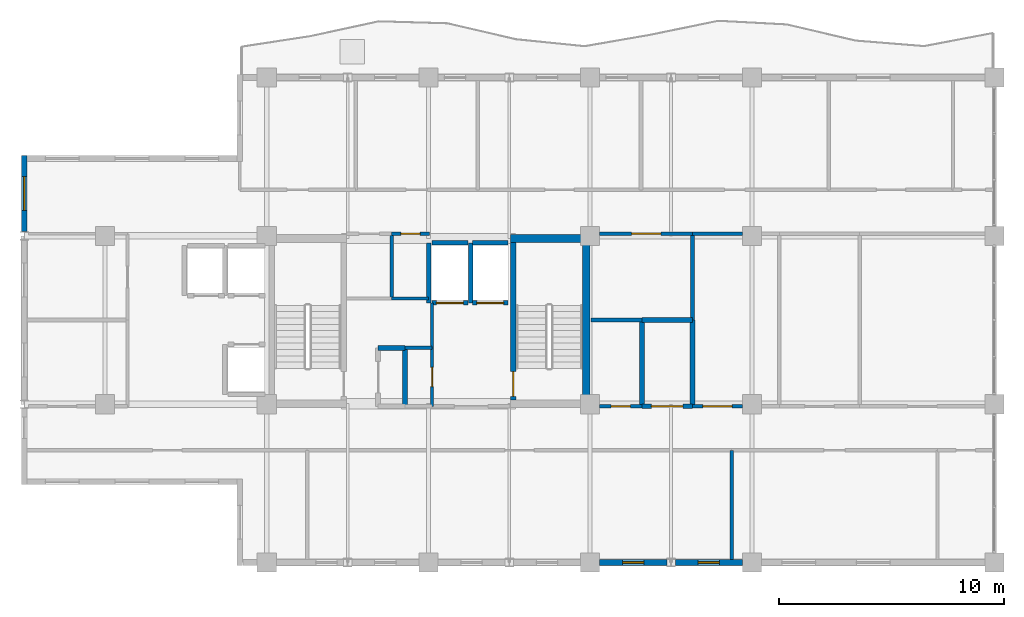
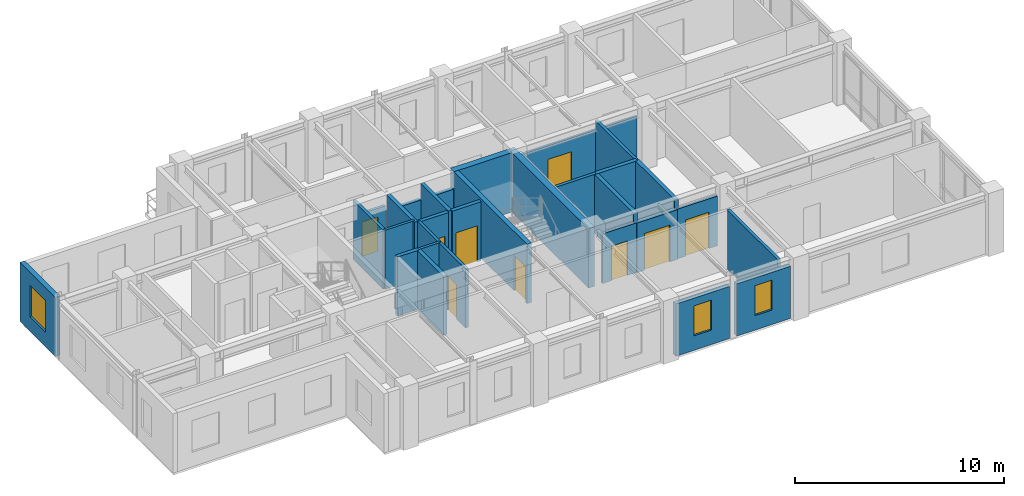
# One storey, part 7 of 10: 31 walls, 9 doors, 3 windows, 12 openings.
"""IFC4 building model written with IfcOpenShell, lengths in metres."""

from ifc_helpers import new_model, si_unit, direction, frame, frame_2d, origin, place, context, subcontext, project, spatial, rectangle, extrude, material, layer, layer_set, type_object, element, fill, save


model = new_model("IFC4")

# Units and contexts
model_context = context("Model", 3, precision=1e-05, world=origin(), true_north=direction((0.0, 1.0)))
body_context = subcontext(model_context, "Body", "Model", "MODEL_VIEW")
ifc_project = project(units=[si_unit("LENGTHUNIT", "METRE"), si_unit("AREAUNIT", "SQUARE_METRE"), si_unit("VOLUMEUNIT", "CUBIC_METRE"), si_unit("PLANEANGLEUNIT", "RADIAN"), si_unit("MASSUNIT", "GRAM", prefix="KILO")], contexts=[model_context])

# Site, building, storey
site_placement = place(None, origin())
site = spatial("IfcSite", under=ifc_project, at=site_placement, CompositionType="ELEMENT")
building_placement = place(site_placement, origin())
building = spatial("IfcBuilding", under=site, at=building_placement, Name="Kaliganga Portal Commons", CompositionType="ELEMENT")
storey_placement = place(building_placement, frame((0.0, 0.0, 275.800048828125)))
storey = spatial("IfcBuildingStorey", under=building, at=storey_placement, Name="L71", CompositionType="ELEMENT", Elevation=275.800048828125)

# Walls
ifc_material_1 = material(Name="Concrete C50/60", Category="concrete")
ifc_layer_1 = layer(ifc_material_1, 0.35009765625)
ifc_layer_set_1 = layer_set([ifc_layer_1], Name="Concrete C50/60")
wall_type_1 = type_object("IfcWallType", Name="WL-CORE-350", PredefinedType="SHEAR", material=ifc_layer_set_1)
wall_1_placement = place(storey_placement, frame((28.625, 28.5, 0.0), z_axis=(0.0, 0.0, 1.0), x_axis=(0.0, 1.0, 0.0)))
element("IfcWall", 1, at=wall_1_placement, inside=storey, type_object=wall_type_1, Name="Core A East Shear Wall L71", PredefinedType="SHEAR", context=body_context, shape_type="SweptSolid", body=[
    extrude(rectangle(XDim=7.699951171875, YDim=0.35009765625, at=frame_2d((3.85009765625, 0.0))), origin(), (0.0, 0.0, 1.0), 3.474853515625),
])
wall_2_placement = place(storey_placement, frame((25.25, 36.02490234375, 0.0), z_axis=(0.0, 0.0, 1.0), x_axis=(1.0, 0.0, 0.0)))
element("IfcWall", 2, at=wall_2_placement, inside=storey, type_object=wall_type_1, Name="Core A N-East Shear Wall L71", PredefinedType="SHEAR", context=body_context, shape_type="SweptSolid", body=[
    extrude(rectangle(XDim=3.199951171875, YDim=0.35009765625, at=frame_2d((1.60009765625, 0.0))), origin(), (0.0, 0.0, 1.0), 3.474853515625),
])

# Wall, opening, window
ifc_material_2 = material(Name="Insulated Aluminium-Clad Spandrel Assembly", Category="aluminium")
ifc_layer_2 = layer(ifc_material_2, 0.260009765625)
ifc_layer_set_2 = layer_set([ifc_layer_2], Name="Insulated Aluminium-Clad Spandrel Assembly")
wall_type_2 = type_object("IfcWallType", Name="WL-EXT-SPAND-260", PredefinedType="STANDARD", material=ifc_layer_set_2)
wall_3_placement = place(storey_placement, frame((32.2119140625, 21.60009765625, 0.0), z_axis=(0.0, 0.0, 1.0), x_axis=(-1.0, 0.0, 0.0)))
wall_3 = element("IfcWall", 3, at=wall_3_placement, inside=storey, type_object=wall_type_2, Name="Exterior Envelope Wall L71 P1-E00-S6", PredefinedType="STANDARD", context=body_context, shape_type="SweptSolid", body=[
    extrude(rectangle(XDim=2.98583984375, YDim=0.260009765625, at=frame_2d((1.492919921875, 0.0))), origin(), (0.0, 0.0, 1.0), 3.054931640625),
])
opening_1_placement = place(wall_3_placement, frame((1.01806640625, 0.0, 0.85009765625)))
opening_1 = element("IfcOpeningElement", 4, at=opening_1_placement, cuts=wall_3, Name="Opening W-04", PredefinedType="OPENING", context=body_context, shape_type="SweptSolid", body=[
    extrude(rectangle(XDim=0.949951171875, YDim=1.75, at=frame_2d((0.47509765625, 0.875))), frame((0.0, 0.14013671875, 0.0), z_axis=(0.0, -1.0, 0.0), x_axis=(1.0, 0.0, 0.0)), (0.0, 0.0, 1.0), 0.280029296875),
])
ifc_material_3 = material(Name="Thermally Broken Aluminium and Low-E Double Glazing", Category="aluminium")
window_type_1 = type_object("IfcWindowType", Name="WIN-NARROW-950", PartitioningType="SINGLE_PANEL", PredefinedType="WINDOW", material=ifc_material_3)
window_1_placement = place(opening_1_placement, origin())
window_1 = element("IfcWindow", 5, at=window_1_placement, inside=storey, type_object=window_type_1, Name="Facade Window L71-P1E00S6-00", OverallHeight=1.75, OverallWidth=0.949951171875, PartitioningType="SINGLE_PANEL", PredefinedType="WINDOW", context=body_context, shape_type="SweptSolid", body=[
    extrude(rectangle(XDim=0.949951171875, YDim=1.75, at=frame_2d((0.47509765625, 0.875))), frame((0.0, 0.030029296875, 0.0), z_axis=(0.0, -1.0, 0.0), x_axis=(1.0, 0.0, 0.0)), (0.0, 0.0, 1.0), 0.06005859375),
])
fill(opening_1, window_1)

wall_4_placement = place(storey_placement, frame((35.573974609375, 21.60009765625, 0.0), z_axis=(0.0, 0.0, 1.0), x_axis=(-1.0, 0.0, 0.0)))
wall_4 = element("IfcWall", 6, at=wall_4_placement, inside=storey, type_object=wall_type_2, Name="Exterior Envelope Wall L71 P1-E00-S7", PredefinedType="STANDARD", context=body_context, shape_type="SweptSolid", body=[
    extrude(rectangle(XDim=2.986083984375, YDim=0.260009765625, at=frame_2d((1.4931640625, 0.0))), origin(), (0.0, 0.0, 1.0), 3.054931640625),
])
opening_2_placement = place(wall_4_placement, frame((1.01806640625, 0.0, 0.85009765625)))
opening_2 = element("IfcOpeningElement", 7, at=opening_2_placement, cuts=wall_4, Name="Opening W-04", PredefinedType="OPENING", context=body_context, shape_type="SweptSolid", body=[
    extrude(rectangle(XDim=0.949951171875, YDim=1.75, at=frame_2d((0.47509765625, 0.875))), frame((0.0, 0.14013671875, 0.0), z_axis=(0.0, -1.0, 0.0), x_axis=(1.0, 0.0, 0.0)), (0.0, 0.0, 1.0), 0.280029296875),
])
window_2_placement = place(opening_2_placement, origin())
window_2 = element("IfcWindow", 8, at=window_2_placement, inside=storey, type_object=window_type_1, Name="Facade Window L71-P1E00S7-00", OverallHeight=1.75, OverallWidth=0.949951171875, PartitioningType="SINGLE_PANEL", PredefinedType="WINDOW", context=body_context, shape_type="SweptSolid", body=[
    extrude(rectangle(XDim=0.949951171875, YDim=1.75, at=frame_2d((0.47509765625, 0.875))), frame((0.0, 0.030029296875, 0.0), z_axis=(0.0, -1.0, 0.0), x_axis=(1.0, 0.0, 0.0)), (0.0, 0.0, 1.0), 0.06005859375),
])
fill(opening_2, window_2)

wall_5_placement = place(storey_placement, frame((3.60009765625, 36.3369140625, 0.0), z_axis=(0.0, 0.0, 1.0), x_axis=(0.0, 1.0, 0.0)))
wall_5 = element("IfcWall", 9, at=wall_5_placement, inside=storey, type_object=wall_type_2, Name="Exterior Envelope Wall L71 P1-E05-S1", PredefinedType="STANDARD", context=body_context, shape_type="SweptSolid", body=[
    extrude(rectangle(XDim=3.39306640625, YDim=0.260009765625, at=frame_2d((1.696533203125, 0.0))), origin(), (0.0, 0.0, 1.0), 3.454833984375),
])
opening_3_placement = place(wall_5_placement, frame((0.946533203125, 0.0, 0.85009765625)))
opening_3 = element("IfcOpeningElement", 10, at=opening_3_placement, cuts=wall_5, Name="Opening W-02", PredefinedType="OPENING", context=body_context, shape_type="SweptSolid", body=[
    extrude(rectangle(XDim=1.5, YDim=1.85009765625, at=frame_2d((0.75, 0.925048828125))), frame((0.0, 0.14013671875, 0.0), z_axis=(0.0, -1.0, 0.0), x_axis=(1.0, 0.0, 0.0)), (0.0, 0.0, 1.0), 0.280029296875),
])
window_type_2 = type_object("IfcWindowType", Name="WIN-STD-1500", PartitioningType="DOUBLE_PANEL_VERTICAL", PredefinedType="WINDOW", material=ifc_material_3)
window_3_placement = place(opening_3_placement, origin())
window_3 = element("IfcWindow", 11, at=window_3_placement, inside=storey, type_object=window_type_2, Name="Facade Window L71-P1E05S1-00", OverallHeight=1.85009765625, OverallWidth=1.5, PartitioningType="SINGLE_PANEL", PredefinedType="WINDOW", context=body_context, shape_type="SweptSolid", body=[
    extrude(rectangle(XDim=1.5, YDim=1.85009765625, at=frame_2d((0.75, 0.925048828125))), frame((0.0, 0.030029296875, 0.0), z_axis=(0.0, -1.0, 0.0), x_axis=(1.0, 0.0, 0.0)), (0.0, 0.0, 1.0), 0.06005859375),
])
fill(opening_3, window_3)

# Wall, opening, door
ifc_material_4 = material(Name="Fire-Rated Gypsum Board on Steel Stud", Category="steel")
ifc_layer_3 = layer(ifc_material_4, 0.14990234375)
ifc_layer_set_3 = layer_set([ifc_layer_3], Name="Fire-Rated Gypsum Board on Steel Stud")
wall_type_3 = type_object("IfcWallType", Name="WL-PART-CORR-150", PredefinedType="PARTITIONING", material=ifc_layer_set_3)
wall_6_placement = place(storey_placement, frame((29.22509765625, 36.239990234375, 0.0), z_axis=(0.0, 0.0, 1.0), x_axis=(1.0, 0.0, 0.0)))
wall_6 = element("IfcWall", 12, at=wall_6_placement, inside=storey, type_object=wall_type_3, Name="Interior Partition L71-013", PredefinedType="PARTITIONING", context=body_context, shape_type="SweptSolid", body=[
    extrude(rectangle(XDim=4.135009765625, YDim=0.14990234375, at=frame_2d((2.0673828125, 0.0))), origin(), (0.0, 0.0, 1.0), 2.905029296875),
])
opening_4_placement = place(wall_6_placement, frame((1.41748046875, 0.0, 0.0)))
opening_4 = element("IfcOpeningElement", 13, at=opening_4_placement, cuts=wall_6, Name="Opening RD-03", PredefinedType="OPENING", context=body_context, shape_type="SweptSolid", body=[
    extrude(rectangle(XDim=1.300048828125, YDim=2.1201171875, at=frame_2d((0.64990234375, 1.06005859375))), frame((0.0, 0.0849609375, 0.0), z_axis=(0.0, -1.0, 0.0), x_axis=(1.0, 0.0, 0.0)), (0.0, 0.0, 1.0), 0.169921875),
])
ifc_material_5 = material(Name="Glazed Timber Seminar Vision Door", Category="wood")
door_type_1 = type_object("IfcDoorType", Name="DR-STUDY-1300", OperationType="DOUBLE_DOOR_SINGLE_SWING", PredefinedType="DOOR", material=ifc_material_5)
door_1_placement = place(opening_4_placement, origin())
door_1 = element("IfcDoor", 14, at=door_1_placement, inside=storey, type_object=door_type_1, Name="Interior Door L71-CSRV_A2", OperationType="DOUBLE_DOOR_SINGLE_SWING", OverallHeight=2.1201171875, OverallWidth=1.300048828125, PredefinedType="DOOR", context=body_context, shape_type="SweptSolid", body=[
    extrude(rectangle(XDim=1.300048828125, YDim=2.1201171875, at=frame_2d((0.64990234375, 1.06005859375))), frame((0.0, 0.02490234375, 0.0), z_axis=(0.0, -1.0, 0.0), x_axis=(1.0, 0.0, 0.0)), (0.0, 0.0, 1.0), 0.050048828125),
])
fill(opening_4, door_1)

wall_7_placement = place(storey_placement, frame((33.360107421875, 28.56005859375, 0.0), z_axis=(0.0, 0.0, 1.0), x_axis=(1.0, 0.0, 0.0)))
wall_7 = element("IfcWall", 15, at=wall_7_placement, inside=storey, type_object=wall_type_3, Name="Interior Partition L71-014", PredefinedType="PARTITIONING", context=body_context, shape_type="SweptSolid", body=[
    extrude(rectangle(XDim=2.21484375, YDim=0.14990234375, at=frame_2d((1.107421875, 0.0))), origin(), (0.0, 0.0, 1.0), 2.905029296875),
])
opening_5_placement = place(wall_7_placement, frame((0.45751953125, 0.0, 0.0)))
opening_5 = element("IfcOpeningElement", 16, at=opening_5_placement, cuts=wall_7, Name="Opening RD-03", PredefinedType="OPENING", context=body_context, shape_type="SweptSolid", body=[
    extrude(rectangle(XDim=1.300048828125, YDim=2.1201171875, at=frame_2d((0.64990234375, 1.06005859375))), frame((0.0, 0.0849609375, 0.0), z_axis=(0.0, -1.0, 0.0), x_axis=(1.0, 0.0, 0.0)), (0.0, 0.0, 1.0), 0.169921875),
])
door_2_placement = place(opening_5_placement, origin())
door_2 = element("IfcDoor", 17, at=door_2_placement, inside=storey, type_object=door_type_1, Name="Interior Door L71-AE01", OperationType="DOUBLE_DOOR_SINGLE_SWING", OverallHeight=2.1201171875, OverallWidth=1.300048828125, PredefinedType="DOOR", context=body_context, shape_type="SweptSolid", body=[
    extrude(rectangle(XDim=1.300048828125, YDim=2.1201171875, at=frame_2d((0.64990234375, 1.06005859375))), frame((0.0, 0.02490234375, 0.0), z_axis=(0.0, -1.0, 0.0), x_axis=(1.0, 0.0, 0.0)), (0.0, 0.0, 1.0), 0.050048828125),
])
fill(opening_5, door_2)

# Wall
wall_8_placement = place(storey_placement, frame((33.360107421875, 36.239990234375, 0.0), z_axis=(0.0, 0.0, 1.0), x_axis=(1.0, 0.0, 0.0)))
element("IfcWall", 18, at=wall_8_placement, inside=storey, type_object=wall_type_3, Name="Interior Partition L71-016", PredefinedType="PARTITIONING", context=body_context, shape_type="SweptSolid", body=[
    extrude(rectangle(XDim=2.21484375, YDim=0.14990234375, at=frame_2d((1.107421875, 0.0))), origin(), (0.0, 0.0, 1.0), 2.905029296875),
])

# Wall, opening, door
wall_9_placement = place(storey_placement, frame((21.760009765625, 28.56005859375, 0.0), z_axis=(0.0, 0.0, 1.0), x_axis=(0.0, 1.0, 0.0)))
wall_9 = element("IfcWall", 19, at=wall_9_placement, inside=storey, type_object=wall_type_3, Name="Interior Partition L71-023", PredefinedType="PARTITIONING", context=body_context, shape_type="SweptSolid", body=[
    extrude(rectangle(XDim=2.599853515625, YDim=0.14990234375, at=frame_2d((1.2998046875, 0.0))), origin(), (0.0, 0.0, 1.0), 3.454833984375),
])
opening_6_placement = place(wall_9_placement, frame((0.8701171875, 0.0, 0.0)))
opening_6 = element("IfcOpeningElement", 20, at=opening_6_placement, cuts=wall_9, Name="Opening WD-02", PredefinedType="OPENING", context=body_context, shape_type="SweptSolid", body=[
    extrude(rectangle(XDim=0.860107421875, YDim=2.02001953125, at=frame_2d((0.43017578125, 1.010009765625))), frame((0.0, 0.0849609375, 0.0), z_axis=(0.0, -1.0, 0.0), x_axis=(1.0, 0.0, 0.0)), (0.0, 0.0, 1.0), 0.169921875),
])
ifc_material_6 = material(Name="Fire-Rated Utility Closet Door", Category="wood")
door_type_2 = type_object("IfcDoorType", Name="DR-STORE-800", OperationType="NOTDEFINED", PredefinedType="DOOR", material=ifc_material_6)
door_3_placement = place(opening_6_placement, origin())
door_3 = element("IfcDoor", 21, at=door_3_placement, inside=storey, type_object=door_type_2, Name="Interior Door L71-CIN_A2", OperationType="SINGLE_SWING_LEFT", OverallHeight=2.02001953125, OverallWidth=0.860107421875, PredefinedType="DOOR", context=body_context, shape_type="SweptSolid", body=[
    extrude(rectangle(XDim=0.860107421875, YDim=2.02001953125, at=frame_2d((0.43017578125, 1.010009765625))), frame((0.0, 0.02490234375, 0.0), z_axis=(0.0, -1.0, 0.0), x_axis=(1.0, 0.0, 0.0)), (0.0, 0.0, 1.0), 0.050048828125),
])
fill(opening_6, door_3)

wall_10_placement = place(storey_placement, frame((29.22509765625, 28.56005859375, 0.0), z_axis=(0.0, 0.0, 1.0), x_axis=(1.0, 0.0, 0.0)))
wall_10 = element("IfcWall", 22, at=wall_10_placement, inside=storey, type_object=wall_type_3, Name="Interior Partition L71-025", PredefinedType="PARTITIONING", context=body_context, shape_type="SweptSolid", body=[
    extrude(rectangle(XDim=1.875, YDim=0.14990234375, at=frame_2d((0.9375, 0.0))), origin(), (0.0, 0.0, 1.0), 2.905029296875),
])
opening_7_placement = place(wall_10_placement, frame((0.507568359375, 0.0, 0.0)))
opening_7 = element("IfcOpeningElement", 23, at=opening_7_placement, cuts=wall_10, Name="Opening WD-02", PredefinedType="OPENING", context=body_context, shape_type="SweptSolid", body=[
    extrude(rectangle(XDim=0.860107421875, YDim=2.02001953125, at=frame_2d((0.43017578125, 1.010009765625))), frame((0.0, 0.0849609375, 0.0), z_axis=(0.0, -1.0, 0.0), x_axis=(1.0, 0.0, 0.0)), (0.0, 0.0, 1.0), 0.169921875),
])
door_4_placement = place(opening_7_placement, origin())
door_4 = element("IfcDoor", 24, at=door_4_placement, inside=storey, type_object=door_type_2, Name="Interior Door L71-CSRV_A1", OperationType="SINGLE_SWING_LEFT", OverallHeight=2.02001953125, OverallWidth=0.860107421875, PredefinedType="DOOR", context=body_context, shape_type="SweptSolid", body=[
    extrude(rectangle(XDim=0.860107421875, YDim=2.02001953125, at=frame_2d((0.43017578125, 1.010009765625))), frame((0.0, 0.02490234375, 0.0), z_axis=(0.0, -1.0, 0.0), x_axis=(1.0, 0.0, 0.0)), (0.0, 0.0, 1.0), 0.050048828125),
])
fill(opening_7, door_4)

# Wall
wall_11_placement = place(storey_placement, frame((19.9599609375, 33.360107421875, 0.0), z_axis=(0.0, 0.0, 1.0), x_axis=(1.0, 0.0, 0.0)))
element("IfcWall", 25, at=wall_11_placement, inside=storey, type_object=wall_type_3, Name="Interior Partition L71-030", PredefinedType="PARTITIONING", context=body_context, shape_type="SweptSolid", body=[
    extrude(rectangle(XDim=1.650146484375, YDim=0.14990234375, at=frame_2d((0.8251953125, 0.0))), origin(), (0.0, 0.0, 1.0), 3.454833984375),
])

# Wall, opening, door
wall_12_placement = place(storey_placement, frame((19.9599609375, 36.239990234375, 0.0), z_axis=(0.0, 0.0, 1.0), x_axis=(1.0, 0.0, 0.0)))
wall_12 = element("IfcWall", 26, at=wall_12_placement, inside=storey, type_object=wall_type_3, Name="Interior Partition L71-031", PredefinedType="PARTITIONING", context=body_context, shape_type="SweptSolid", body=[
    extrude(rectangle(XDim=1.679931640625, YDim=0.14990234375, at=frame_2d((0.83984375, 0.0))), origin(), (0.0, 0.0, 1.0), 2.554931640625),
])
opening_8_placement = place(wall_12_placement, frame((0.409912109375, 0.0, 0.0)))
opening_8 = element("IfcOpeningElement", 27, at=opening_8_placement, cuts=wall_12, Name="Opening WD-02", PredefinedType="OPENING", context=body_context, shape_type="SweptSolid", body=[
    extrude(rectangle(XDim=0.860107421875, YDim=2.02001953125, at=frame_2d((0.43017578125, 1.010009765625))), frame((0.0, 0.0849609375, 0.0), z_axis=(0.0, -1.0, 0.0), x_axis=(1.0, 0.0, 0.0)), (0.0, 0.0, 1.0), 0.169921875),
])
door_5_placement = place(opening_8_placement, origin())
door_5 = element("IfcDoor", 28, at=door_5_placement, inside=storey, type_object=door_type_2, Name="Interior Door L71-CREC_A2", OperationType="SINGLE_SWING_LEFT", OverallHeight=2.02001953125, OverallWidth=0.860107421875, PredefinedType="DOOR", context=body_context, shape_type="SweptSolid", body=[
    extrude(rectangle(XDim=0.860107421875, YDim=2.02001953125, at=frame_2d((0.43017578125, 1.010009765625))), frame((0.0, 0.02490234375, 0.0), z_axis=(0.0, -1.0, 0.0), x_axis=(1.0, 0.0, 0.0)), (0.0, 0.0, 1.0), 0.050048828125),
])
fill(opening_8, door_5)

# Walls
wall_13_placement = place(storey_placement, frame((20.56005859375, 31.159912109375, 0.0), z_axis=(0.0, 0.0, 1.0), x_axis=(1.0, 0.0, 0.0)))
element("IfcWall", 29, at=wall_13_placement, inside=storey, type_object=wall_type_3, Name="Interior Partition L71-033", PredefinedType="PARTITIONING", context=body_context, shape_type="SweptSolid", body=[
    extrude(rectangle(XDim=1.199951171875, YDim=0.14990234375, at=frame_2d((0.60009765625, 0.0))), origin(), (0.0, 0.0, 1.0), 3.454833984375),
])
wall_14_placement = place(storey_placement, frame((21.760009765625, 31.159912109375, 0.0), z_axis=(0.0, 0.0, 1.0), x_axis=(0.0, 1.0, 0.0)))
element("IfcWall", 30, at=wall_14_placement, inside=storey, type_object=wall_type_3, Name="Interior Partition L71-058", PredefinedType="PARTITIONING", context=body_context, shape_type="SweptSolid", body=[
    extrude(rectangle(XDim=2.0, YDim=0.14990234375, at=frame_2d((1.0, 0.0))), origin(), (0.0, 0.0, 1.0), 3.454833984375),
])

# Wall, opening, door
ifc_material_7 = material(Name="Lightweight blockwork masonry", Category="masonry")
ifc_layer_4 = layer(ifc_material_7, 0.215087890625)
ifc_layer_set_4 = layer_set([ifc_layer_4], Name="Lightweight blockwork masonry")
wall_type_4 = type_object("IfcWallType", Name="WL-PART-PLANT-215", PredefinedType="PARTITIONING", material=ifc_layer_set_4)
wall_15_placement = place(storey_placement, frame((31.10009765625, 28.56005859375, 0.0), z_axis=(0.0, 0.0, 1.0), x_axis=(1.0, 0.0, 0.0)))
wall_15 = element("IfcWall", 31, at=wall_15_placement, inside=storey, type_object=wall_type_4, Name="Interior Partition L71-026", PredefinedType="PARTITIONING", context=body_context, shape_type="SweptSolid", body=[
    extrude(rectangle(XDim=2.260009765625, YDim=0.215087890625, at=frame_2d((1.1298828125, 0.0))), origin(), (0.0, 0.0, 1.0), 2.905029296875),
])
opening_9_placement = place(wall_15_placement, frame((0.429931640625, 0.0, 0.0)))
opening_9 = element("IfcOpeningElement", 32, at=opening_9_placement, cuts=wall_15, Name="Opening PD-01", PredefinedType="OPENING", context=body_context, shape_type="SweptSolid", body=[
    extrude(rectangle(XDim=1.39990234375, YDim=2.14990234375, at=frame_2d((0.699951171875, 1.074951171875))), frame((0.0, 0.11767578125, 0.0), z_axis=(0.0, -1.0, 0.0), x_axis=(1.0, 0.0, 0.0)), (0.0, 0.0, 1.0), 0.235107421875),
])
ifc_material_8 = material(Name="Heavy-Duty Steel Acoustic Louvre Fire Door", Category="steel")
door_type_3 = type_object("IfcDoorType", Name="DR-PLANT-1400", OperationType="DOUBLE_DOOR_SINGLE_SWING", PredefinedType="DOOR", material=ifc_material_8)
door_6_placement = place(opening_9_placement, origin())
door_6 = element("IfcDoor", 33, at=door_6_placement, inside=storey, type_object=door_type_3, Name="Interior Door L71-CSRV_A3", OperationType="DOUBLE_DOOR_SINGLE_SWING", OverallHeight=2.14990234375, OverallWidth=1.39990234375, PredefinedType="DOOR", context=body_context, shape_type="SweptSolid", body=[
    extrude(rectangle(XDim=1.39990234375, YDim=2.14990234375, at=frame_2d((0.699951171875, 1.074951171875))), frame((0.0, 0.02490234375, 0.0), z_axis=(0.0, -1.0, 0.0), x_axis=(1.0, 0.0, 0.0)), (0.0, 0.0, 1.0), 0.050048828125),
])
fill(opening_9, door_6)

# Walls
wall_16_placement = place(storey_placement, frame((19.360107421875, 31.159912109375, 0.0), z_axis=(0.0, 0.0, 1.0), x_axis=(1.0, 0.0, 0.0)))
element("IfcWall", 34, at=wall_16_placement, inside=storey, type_object=wall_type_4, Name="Interior Partition L71-035", PredefinedType="PARTITIONING", context=body_context, shape_type="SweptSolid", body=[
    extrude(rectangle(XDim=1.199951171875, YDim=0.215087890625, at=frame_2d((0.60009765625, 0.0))), origin(), (0.0, 0.0, 1.0), 3.454833984375),
])
for number, where, z_axis, x_axis, name in (
    (35, (31.10009765625, 28.56005859375, 0.0), (0.0, 0.0, 1.0), (0.0, 1.0, 0.0), "Interior Partition L71-051"),
    (36, (33.360107421875, 28.56005859375, 0.0), (0.0, 0.0, 1.0), (0.0, 1.0, 0.0), "Interior Partition L71-052"),
):
    element("IfcWall", number, at=place(storey_placement, frame(where, z_axis=z_axis, x_axis=x_axis)), inside=storey, type_object=wall_type_4, Name=name, PredefinedType="PARTITIONING", context=body_context, shape_type="SweptSolid", body=[
        extrude(rectangle(XDim=3.83984375, YDim=0.215087890625, at=frame_2d((1.919921875, 0.0))), origin(), (0.0, 0.0, 1.0), 3.454833984375),
    ])
wall_17_placement = place(storey_placement, frame((20.56005859375, 28.56005859375, 0.0), z_axis=(0.0, 0.0, 1.0), x_axis=(0.0, 1.0, 0.0)))
element("IfcWall", 37, at=wall_17_placement, inside=storey, type_object=wall_type_4, Name="Interior Partition L71-055", PredefinedType="PARTITIONING", context=body_context, shape_type="SweptSolid", body=[
    extrude(rectangle(XDim=2.599853515625, YDim=0.215087890625, at=frame_2d((1.2998046875, 0.0))), origin(), (0.0, 0.0, 1.0), 3.454833984375),
])
wall_18_placement = place(storey_placement, frame((31.10009765625, 32.39990234375, 0.0), z_axis=(0.0, 0.0, 1.0), x_axis=(1.0, 0.0, 0.0)))
element("IfcWall", 38, at=wall_18_placement, inside=storey, type_object=wall_type_4, Name="Interior Partition L71-057", PredefinedType="PARTITIONING", context=body_context, shape_type="SweptSolid", body=[
    extrude(rectangle(XDim=2.260009765625, YDim=0.215087890625, at=frame_2d((1.1298828125, 0.0))), origin(), (0.0, 0.0, 1.0), 3.454833984375),
])
ifc_material_9 = material(Name="Twin-Stud Acoustic Gypsum Partition", Category="gypsum")
ifc_layer_5 = layer(ifc_material_9, 0.1650390625)
ifc_layer_set_5 = layer_set([ifc_layer_5], Name="Twin-Stud Acoustic Gypsum Partition")
wall_type_5 = type_object("IfcWallType", Name="WL-PART-UNIT-165", PredefinedType="PARTITIONING", material=ifc_layer_set_5)
wall_19_placement = place(storey_placement, frame((35.10009765625, 21.73193359375, 0.0), z_axis=(0.0, 0.0, 1.0), x_axis=(0.0, 1.0, 0.0)))
element("IfcWall", 39, at=wall_19_placement, inside=storey, type_object=wall_type_5, Name="Interior Partition L71-043", PredefinedType="PARTITIONING", context=body_context, shape_type="SweptSolid", body=[
    extrude(rectangle(XDim=4.8681640625, YDim=0.1650390625, at=frame_2d((2.43408203125, 0.0))), origin(), (0.0, 0.0, 1.0), 3.454833984375),
])
wall_20_placement = place(storey_placement, frame((33.360107421875, 32.39990234375, 0.0), z_axis=(0.0, 0.0, 1.0), x_axis=(0.0, 1.0, 0.0)))
element("IfcWall", 40, at=wall_20_placement, inside=storey, type_object=wall_type_5, Name="Interior Partition L71-050", PredefinedType="PARTITIONING", context=body_context, shape_type="SweptSolid", body=[
    extrude(rectangle(XDim=3.840087890625, YDim=0.1650390625, at=frame_2d((1.919921875, 0.0))), origin(), (0.0, 0.0, 1.0), 3.454833984375),
])
wall_21_placement = place(storey_placement, frame((19.9599609375, 33.360107421875, 0.0), z_axis=(0.0, 0.0, 1.0), x_axis=(0.0, 1.0, 0.0)))
element("IfcWall", 41, at=wall_21_placement, inside=storey, type_object=wall_type_5, Name="Interior Partition L71-054", PredefinedType="PARTITIONING", context=body_context, shape_type="SweptSolid", body=[
    extrude(rectangle(XDim=2.8798828125, YDim=0.1650390625, at=frame_2d((1.43994140625, 0.0))), origin(), (0.0, 0.0, 1.0), 3.454833984375),
])
wall_22_placement = place(storey_placement, frame((28.840087890625, 32.39990234375, 0.0), z_axis=(0.0, 0.0, 1.0), x_axis=(1.0, 0.0, 0.0)))
element("IfcWall", 42, at=wall_22_placement, inside=storey, type_object=wall_type_5, Name="Interior Partition L71-056", PredefinedType="PARTITIONING", context=body_context, shape_type="SweptSolid", body=[
    extrude(rectangle(XDim=2.260009765625, YDim=0.1650390625, at=frame_2d((1.1298828125, 0.0))), origin(), (0.0, 0.0, 1.0), 3.454833984375),
])

# Wall, opening, door
ifc_material_10 = material(Name="Fire-Rated Shaftwall Masonry Assembly", Category="masonry")
ifc_layer_6 = layer(ifc_material_10, 0.199951171875)
ifc_layer_set_6 = layer_set([ifc_layer_6], Name="Fire-Rated Shaftwall Masonry Assembly")
wall_type_6 = type_object("IfcWallType", Name="WL-SHAFT-200", PredefinedType="PARTITIONING", material=ifc_layer_set_6)
wall_23_placement = place(storey_placement, frame((21.75, 33.159912109375, 0.0), z_axis=(0.0, 0.0, 1.0), x_axis=(1.0, 0.0, 0.0)))
wall_23 = element("IfcWall", 43, at=wall_23_placement, inside=storey, type_object=wall_type_6, Name="Lift FFL-1 Hoistway Shaft Wall L71-S", PredefinedType="PARTITIONING", context=body_context, shape_type="SweptSolid", body=[
    extrude(rectangle(XDim=1.60009765625, YDim=0.199951171875, at=frame_2d((0.800048828125, 0.0))), origin(), (0.0, 0.0, 1.0), 3.454833984375),
])
opening_10_placement = place(wall_23_placement, frame((0.199951171875, 0.0, 0.0)))
opening_10 = element("IfcOpeningElement", 44, at=opening_10_placement, cuts=wall_23, Name="Opening LD-02", PredefinedType="OPENING", context=body_context, shape_type="SweptSolid", body=[
    extrude(rectangle(XDim=1.199951171875, YDim=2.1201171875, at=frame_2d((0.60009765625, 1.06005859375))), frame((0.0, 0.10986328125, 0.0), z_axis=(0.0, -1.0, 0.0), x_axis=(1.0, 0.0, 0.0)), (0.0, 0.0, 1.0), 0.219970703125),
])
ifc_material_11 = material(Name="Brushed Stainless Steel 316 Stretcher Lift Landing Door", Category="steel")
door_type_4 = type_object("IfcDoorType", Name="DR-LIFT-1200", OperationType="SLIDING_TO_RIGHT", PredefinedType="DOOR", material=ifc_material_11)
door_7_placement = place(opening_10_placement, origin())
door_7 = element("IfcDoor", 45, at=door_7_placement, inside=storey, type_object=door_type_4, Name="Lift FFL-1 Sliding Landing Door L71", OperationType="SLIDING_TO_RIGHT", OverallHeight=2.1201171875, OverallWidth=1.199951171875, PredefinedType="DOOR", context=body_context, shape_type="SweptSolid", body=[
    extrude(rectangle(XDim=1.199951171875, YDim=2.1201171875, at=frame_2d((0.60009765625, 1.06005859375))), frame((0.0, 0.02490234375, 0.0), z_axis=(0.0, -1.0, 0.0), x_axis=(1.0, 0.0, 0.0)), (0.0, 0.0, 1.0), 0.050048828125),
])
fill(opening_10, door_7)

# Walls
wall_24_placement = place(storey_placement, frame((21.75, 35.840087890625, 0.0), z_axis=(0.0, 0.0, 1.0), x_axis=(1.0, 0.0, 0.0)))
element("IfcWall", 46, at=wall_24_placement, inside=storey, type_object=wall_type_6, Name="Lift FFL-1 Hoistway Shaft Wall L71-N", PredefinedType="PARTITIONING", context=body_context, shape_type="SweptSolid", body=[
    extrude(rectangle(XDim=1.60009765625, YDim=0.199951171875, at=frame_2d((0.800048828125, 0.0))), origin(), (0.0, 0.0, 1.0), 2.554931640625),
])
for number, where, z_axis, x_axis, name in (
    (47, (21.610107421875, 33.159912109375, 0.0), (0.0, 0.0, 1.0), (0.0, 1.0, 0.0), "Lift FFL-1 Hoistway Shaft Wall L71-W"),
    (48, (23.489990234375, 33.159912109375, 0.0), (0.0, 0.0, 1.0), (0.0, 1.0, 0.0), "Lift FFL-1 Hoistway Shaft Wall L71-E"),
):
    element("IfcWall", number, at=place(storey_placement, frame(where, z_axis=z_axis, x_axis=x_axis)), inside=storey, type_object=wall_type_6, Name=name, PredefinedType="PARTITIONING", context=body_context, shape_type="SweptSolid", body=[
        extrude(rectangle(XDim=2.68017578125, YDim=0.199951171875, at=frame_2d((1.340087890625, 0.0))), origin(), (0.0, 0.0, 1.0), 3.454833984375),
    ])

# Wall, opening, door
wall_25_placement = place(storey_placement, frame((23.550048828125, 33.159912109375, 0.0), z_axis=(0.0, 0.0, 1.0), x_axis=(1.0, 0.0, 0.0)))
wall_25 = element("IfcWall", 49, at=wall_25_placement, inside=storey, type_object=wall_type_6, Name="Lift FFL-2 Hoistway Shaft Wall L71-S", PredefinedType="PARTITIONING", context=body_context, shape_type="SweptSolid", body=[
    extrude(rectangle(XDim=1.599853515625, YDim=0.199951171875, at=frame_2d((0.7998046875, 0.0))), origin(), (0.0, 0.0, 1.0), 3.454833984375),
])
opening_11_placement = place(wall_25_placement, frame((0.199951171875, 0.0, 0.0)))
opening_11 = element("IfcOpeningElement", 50, at=opening_11_placement, cuts=wall_25, Name="Opening LD-02", PredefinedType="OPENING", context=body_context, shape_type="SweptSolid", body=[
    extrude(rectangle(XDim=1.199951171875, YDim=2.1201171875, at=frame_2d((0.60009765625, 1.06005859375))), frame((0.0, 0.10986328125, 0.0), z_axis=(0.0, -1.0, 0.0), x_axis=(1.0, 0.0, 0.0)), (0.0, 0.0, 1.0), 0.219970703125),
])
door_8_placement = place(opening_11_placement, origin())
door_8 = element("IfcDoor", 51, at=door_8_placement, inside=storey, type_object=door_type_4, Name="Lift FFL-2 Sliding Landing Door L71", OperationType="SLIDING_TO_RIGHT", OverallHeight=2.1201171875, OverallWidth=1.199951171875, PredefinedType="DOOR", context=body_context, shape_type="SweptSolid", body=[
    extrude(rectangle(XDim=1.199951171875, YDim=2.1201171875, at=frame_2d((0.60009765625, 1.06005859375))), frame((0.0, 0.02490234375, 0.0), z_axis=(0.0, -1.0, 0.0), x_axis=(1.0, 0.0, 0.0)), (0.0, 0.0, 1.0), 0.050048828125),
])
fill(opening_11, door_8)

# Wall
wall_26_placement = place(storey_placement, frame((23.550048828125, 35.840087890625, 0.0), z_axis=(0.0, 0.0, 1.0), x_axis=(1.0, 0.0, 0.0)))
element("IfcWall", 52, at=wall_26_placement, inside=storey, type_object=wall_type_6, Name="Lift FFL-2 Hoistway Shaft Wall L71-N", PredefinedType="PARTITIONING", context=body_context, shape_type="SweptSolid", body=[
    extrude(rectangle(XDim=1.599853515625, YDim=0.199951171875, at=frame_2d((0.7998046875, 0.0))), origin(), (0.0, 0.0, 1.0), 2.554931640625),
])

# Wall, opening, door
ifc_layer_7 = layer(ifc_material_1, 0.25)
ifc_layer_set_7 = layer_set([ifc_layer_7], Name="Concrete C50/60")
wall_type_7 = type_object("IfcWallType", Name="WL-STAIR-250", PredefinedType="SHEAR", material=ifc_layer_set_7)
wall_27_placement = place(storey_placement, frame((25.375, 28.85009765625, 0.0), z_axis=(0.0, 0.0, 1.0), x_axis=(0.0, 1.0, 0.0)))
wall_27 = element("IfcWall", 53, at=wall_27_placement, inside=storey, type_object=wall_type_7, Name="Stair A2 Enclosure Shear Wall L71", PredefinedType="SHEAR", context=body_context, shape_type="SweptSolid", body=[
    extrude(rectangle(XDim=7.0, YDim=0.25, at=frame_2d((3.5, 0.0))), origin(), (0.0, 0.0, 1.0), 3.474853515625),
])
opening_12_placement = place(wall_27_placement, frame((0.14990234375, 0.0, 0.0)))
opening_12 = element("IfcOpeningElement", 54, at=opening_12_placement, cuts=wall_27, Name="Opening SD-01", PredefinedType="OPENING", context=body_context, shape_type="SweptSolid", body=[
    extrude(rectangle(XDim=1.10009765625, YDim=2.080078125, at=frame_2d((0.550048828125, 1.0400390625))), frame((0.0, 0.135009765625, 0.0), z_axis=(0.0, -1.0, 0.0), x_axis=(1.0, 0.0, 0.0)), (0.0, 0.0, 1.0), 0.27001953125),
])
ifc_material_12 = material(Name="Galvanized Steel Fire Door Leaf and Frame", Category="steel")
door_type_5 = type_object("IfcDoorType", Name="DR-STAIR-1100", OperationType="NOTDEFINED", PredefinedType="DOOR", material=ifc_material_12)
door_9_placement = place(opening_12_placement, origin())
door_9 = element("IfcDoor", 55, at=door_9_placement, inside=storey, type_object=door_type_5, Name="Protected Stair ST-A2 Fire Door L71", OperationType="SINGLE_SWING_RIGHT", OverallHeight=2.080078125, OverallWidth=1.10009765625, PredefinedType="DOOR", context=body_context, shape_type="SweptSolid", body=[
    extrude(rectangle(XDim=1.10009765625, YDim=2.080078125, at=frame_2d((0.550048828125, 1.0400390625))), frame((0.0, 0.02490234375, 0.0), z_axis=(0.0, -1.0, 0.0), x_axis=(1.0, 0.0, 0.0)), (0.0, 0.0, 1.0), 0.050048828125),
])
fill(opening_12, door_9)

save(model, "model.ifc")
